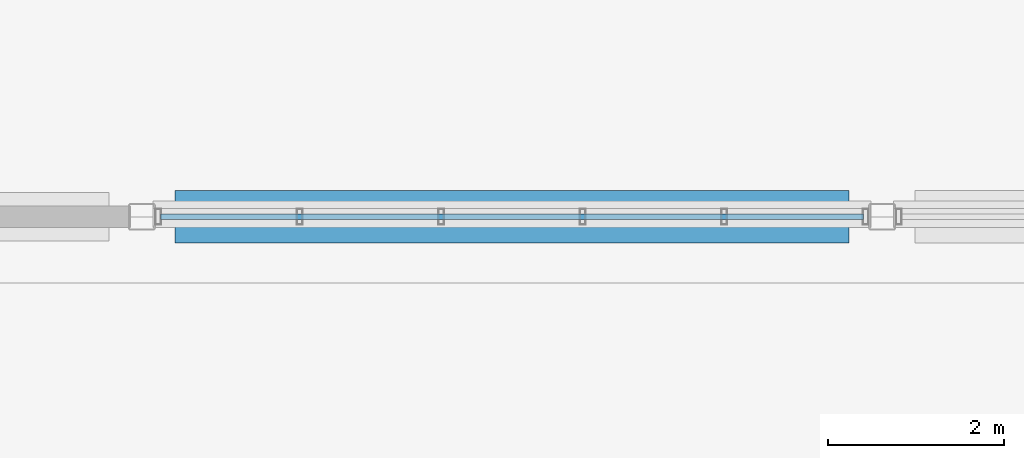
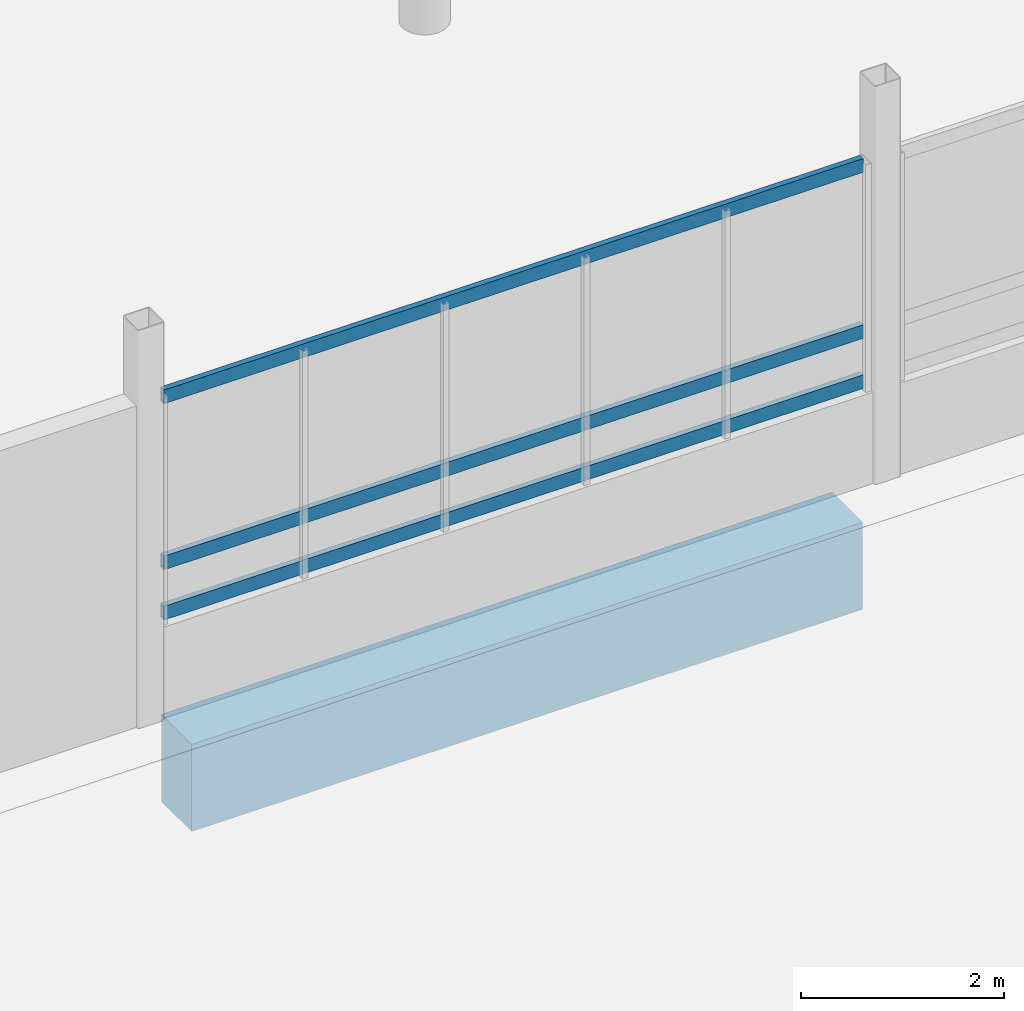
# One storey, part 21 of 95: 3 members, 1 beam, 1 element without a shape of its own.
"""IFC4 building model written with IfcOpenShell, lengths in metres."""

from ifc_helpers import new_model, si_unit, direction, frame, origin, origin_2d, place, context, subcontext, project, spatial, rectangle, hollow_rectangle, extrude, material, layer, layer_set, material_profile, profile_set, type_object, element, aggregate, save


model = new_model("IFC4")

# Units and contexts
model_context = context("Model", 3, precision=1e-05, world=origin(), true_north=direction((0.0, 1.0)))
body_context = subcontext(model_context, "Body", "Model", "MODEL_VIEW")
ifc_project = project(units=[si_unit("LENGTHUNIT", "METRE"), si_unit("AREAUNIT", "SQUARE_METRE"), si_unit("VOLUMEUNIT", "CUBIC_METRE"), si_unit("PLANEANGLEUNIT", "RADIAN"), si_unit("MASSUNIT", "GRAM", prefix="KILO")], contexts=[model_context])

# Site, building, storey
site_placement = place(None, origin())
site = spatial("IfcSite", under=ifc_project, at=site_placement, CompositionType="ELEMENT")
building_placement = place(site_placement, origin())
building = spatial("IfcBuilding", under=site, at=building_placement, Name="Vireocrest Preparatory School", CompositionType="ELEMENT")
storey_placement = place(building_placement, origin())
storey = spatial("IfcBuildingStorey", under=building, at=storey_placement, Name="L00", CompositionType="ELEMENT", Elevation=0.0)

# Curtain wall, members
ifc_material_1 = material(Name="Thermally broken aluminium EN AW-6063-T6", Category="aluminium")
ifc_layer = layer(ifc_material_1, 0.179931640625)
ifc_layer_set = layer_set([ifc_layer], Name="Thermally broken aluminium EN AW-6063-T6")
curtain_wall_type = type_object("IfcCurtainWallType", Name="Court Banded Curtain Wall 8400x3600", PredefinedType="USERDEFINED", material=ifc_layer_set)
curtain_wall_placement = place(storey_placement, origin())
curtain_wall = element("IfcCurtainWall", 1, at=curtain_wall_placement, inside=storey, type_object=curtain_wall_type, Name="Curtain Wall CW01 CW_L00_CW01_0757_0180_011", ObjectType="CURTAIN WALL", PredefinedType="USERDEFINED")
ifc_material_profile_1 = material_profile(ifc_material_1, hollow_rectangle(XDim=0.06494140625, YDim=0.1650390625, WallThickness=0.00390625, at=origin_2d()), Name="ALU 65x165x4")
ifc_profile_set_1 = profile_set([ifc_material_profile_1], Name="Thermally broken aluminium EN AW-6063-T6")
member_type = type_object("IfcMemberType", Name="CW Transom 65x165x4", PredefinedType="USERDEFINED", material=ifc_profile_set_1)
member_1_placement = place(storey_placement, frame((75.8125, 18.0, 1.195068359375), z_axis=(1.0, 0.0, 0.0), x_axis=(0.0, 1.0, 0.0)))
member_1 = element("IfcMember", 2, at=member_1_placement, type_object=member_type, Name="CW Transom TR2 CW_L00_CW01_0757_0180_011-1", ObjectType="TRANSOM", PredefinedType="USERDEFINED", context=body_context, shape_type="SweptSolid", body=[
    extrude(hollow_rectangle(XDim=0.06494140625, YDim=0.1650390625, WallThickness=0.00390625, at=origin_2d()), origin(), (0.0, 0.0, 1.0), 7.97509765625),
])
member_2_placement = place(storey_placement, frame((75.8125, 18.0, 1.800048828125), z_axis=(1.0, 0.0, 0.0), x_axis=(0.0, 1.0, 0.0)))
member_2 = element("IfcMember", 3, at=member_2_placement, type_object=member_type, Name="CW Transom TR2 CW_L00_CW01_0757_0180_011-2", ObjectType="TRANSOM", PredefinedType="USERDEFINED", context=body_context, shape_type="SweptSolid", body=[
    extrude(hollow_rectangle(XDim=0.06494140625, YDim=0.1650390625, WallThickness=0.00390625, at=origin_2d()), origin(), (0.0, 0.0, 1.0), 7.97509765625),
])
member_3_placement = place(storey_placement, frame((75.8125, 18.0, 3.802001953125), z_axis=(1.0, 0.0, 0.0), x_axis=(0.0, 1.0, 0.0)))
member_3 = element("IfcMember", 4, at=member_3_placement, type_object=member_type, Name="CW Transom TR2 CW_L00_CW01_0757_0180_011-3", ObjectType="TRANSOM", PredefinedType="USERDEFINED", context=body_context, shape_type="SweptSolid", body=[
    extrude(hollow_rectangle(XDim=0.06494140625, YDim=0.1650390625, WallThickness=0.00390625, at=origin_2d()), origin(), (0.0, 0.0, 1.0), 7.97509765625),
])
aggregate(curtain_wall, [member_1, member_2, member_3])

# Beam
ifc_material_2 = material(Name="Concrete 40 MPa", Category="concrete")
ifc_material_profile_2 = material_profile(ifc_material_2, rectangle(XDim=0.60009765625, YDim=1.050048828125, at=origin_2d()), Name="RC 600x1050")
ifc_profile_set_2 = profile_set([ifc_material_profile_2], Name="Concrete 40 MPa")
beam_type = type_object("IfcBeamType", Name="RC Transfer Girder 600x1050", PredefinedType="BEAM", material=ifc_profile_set_2)
beam_placement = place(storey_placement, frame((75.97509765625, 18.0, -0.804931640625), z_axis=(1.0, 0.0, 0.0), x_axis=(0.0, 1.0, 0.0)))
element("IfcBeam", 5, at=beam_placement, inside=storey, type_object=beam_type, Name="Primary Girder B19 L00-0017", PredefinedType="BEAM", context=body_context, shape_type="SweptSolid", body=[
    extrude(rectangle(XDim=0.60009765625, YDim=1.050048828125, at=origin_2d()), origin(), (0.0, 0.0, 1.0), 7.64990234375),
])

save(model, "model.ifc")
